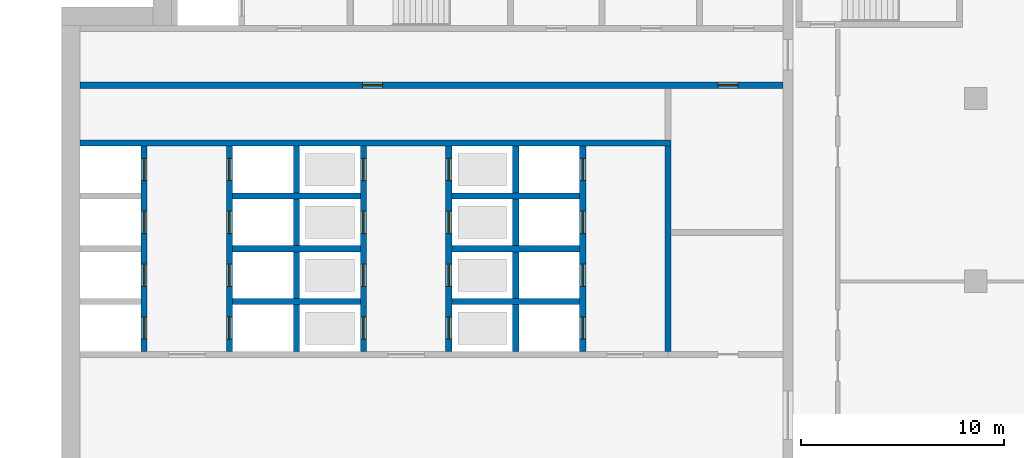
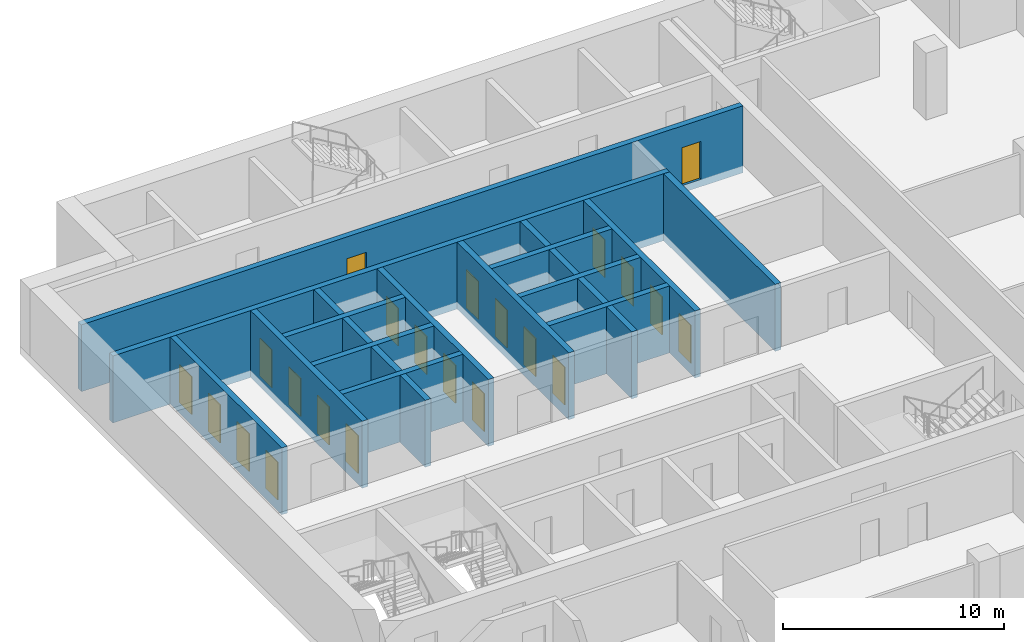
# One storey, part 9 of 18: 22 doors, 16 walls, 22 openings.
"""IFC4 building model written with IfcOpenShell, lengths in metres."""

from ifc_helpers import new_model, si_unit, direction, frame, frame_2d, origin, place, context, subcontext, project, spatial, rectangle, extrude, material, layer, layer_set, type_object, element, fill, save


model = new_model("IFC4")

# Units and contexts
model_context = context("Model", 3, precision=1e-05, world=origin(), true_north=direction((0.0, 1.0)))
body_context = subcontext(model_context, "Body", "Model", "MODEL_VIEW")
ifc_project = project(units=[si_unit("LENGTHUNIT", "METRE"), si_unit("AREAUNIT", "SQUARE_METRE"), si_unit("VOLUMEUNIT", "CUBIC_METRE"), si_unit("PLANEANGLEUNIT", "RADIAN"), si_unit("MASSUNIT", "GRAM", prefix="KILO")], contexts=[model_context])

# Site, building, storey
site_placement = place(None, origin())
site = spatial("IfcSite", under=ifc_project, at=site_placement, CompositionType="ELEMENT")
building_placement = place(site_placement, origin())
building = spatial("IfcBuilding", under=site, at=building_placement, Name="Hunhe Ridgeline Campus", CompositionType="ELEMENT")
storey_placement = place(building_placement, frame((0.0, 0.0, 182.800048828125)))
storey = spatial("IfcBuildingStorey", under=building, at=storey_placement, Name="L46", CompositionType="ELEMENT", Elevation=182.800048828125)

# Wall, openings, doors
ifc_material_1 = material(Name="Concrete C60", Category="concrete")
ifc_layer_1 = layer(ifc_material_1, 0.300048828125)
ifc_layer_set_1 = layer_set([ifc_layer_1], Name="Lobby wall 300 reinforced concrete C60")
wall_type_1 = type_object("IfcWallType", Name="Lobby wall 300 reinforced concrete C60", PredefinedType="SOLIDWALL", material=ifc_layer_set_1)
wall_1_placement = place(storey_placement, frame((0.89990234375, 90.64990234375, -0.400146484375), z_axis=(0.0, 0.0, 1.0), x_axis=(1.0, 0.0, 0.0)))
wall_1 = element("IfcWall", 1, at=wall_1_placement, inside=storey, type_object=wall_type_1, Name="L46 core wall 25", PredefinedType="SOLIDWALL", context=body_context, shape_type="SweptSolid", body=[
    extrude(rectangle(XDim=34.60009765625, YDim=0.300048828125, at=frame_2d((17.300048828125, 0.0))), origin(), (0.0, 0.0, 1.0), 3.7001953125),
])
opening_1_placement = place(wall_1_placement, frame((13.89990234375, 0.0, 0.39990234375)))
opening_1 = element("IfcOpeningElement", 2, at=opening_1_placement, cuts=wall_1, Name="Opening CD26", PredefinedType="OPENING", context=body_context, shape_type="SweptSolid", body=[
    extrude(rectangle(XDim=1.0, YDim=2.10009765625, at=frame_2d((0.5, 1.050048828125))), frame((0.0, 0.14990234375, 0.0), z_axis=(0.0, -1.0, 0.0), x_axis=(1.0, 0.0, 0.0)), (0.0, 0.0, 1.0), 0.300048828125),
])
opening_2_placement = place(wall_1_placement, frame((31.39990234375, 0.0, 0.39990234375)))
opening_2 = element("IfcOpeningElement", 3, at=opening_2_placement, cuts=wall_1, Name="Opening CD33", PredefinedType="OPENING", context=body_context, shape_type="SweptSolid", body=[
    extrude(rectangle(XDim=1.0, YDim=2.10009765625, at=frame_2d((0.5, 1.050048828125))), frame((0.0, 0.14990234375, 0.0), z_axis=(0.0, -1.0, 0.0), x_axis=(1.0, 0.0, 0.0)), (0.0, 0.0, 1.0), 0.300048828125),
])
ifc_material_2 = material(Name="Solid core timber door leaf", Category="wood")
door_type_1 = type_object("IfcDoorType", Name="Timber door 1000x2100", OperationType="SINGLE_SWING_LEFT", PredefinedType="DOOR", material=ifc_material_2)
door_1_placement = place(opening_1_placement, frame((1.0, 0.0, 0.0), z_axis=(0.0, 0.0, 1.0), x_axis=(-1.0, 0.0, 0.0)))
door_1 = element("IfcDoor", 4, at=door_1_placement, inside=storey, type_object=door_type_1, Name="L46 door NR-0", OperationType="SINGLE_SWING_LEFT", OverallHeight=2.10009765625, OverallWidth=1.0, PredefinedType="DOOR", context=body_context, shape_type="SweptSolid", body=[
    extrude(rectangle(XDim=1.0, YDim=2.10009765625, at=frame_2d((0.5, 1.050048828125))), frame((0.0, 0.02490234375, 0.0), z_axis=(0.0, -1.0, 0.0), x_axis=(1.0, 0.0, 0.0)), (0.0, 0.0, 1.0), 0.050048828125),
])
fill(opening_1, door_1)
door_2_placement = place(opening_2_placement, frame((1.0, 0.0, 0.0), z_axis=(0.0, 0.0, 1.0), x_axis=(-1.0, 0.0, 0.0)))
door_2 = element("IfcDoor", 5, at=door_2_placement, inside=storey, type_object=door_type_1, Name="L46 door ES1", OperationType="SINGLE_SWING_RIGHT", OverallHeight=2.10009765625, OverallWidth=1.0, PredefinedType="DOOR", context=body_context, shape_type="SweptSolid", body=[
    extrude(rectangle(XDim=1.0, YDim=2.10009765625, at=frame_2d((0.5, 1.050048828125))), frame((0.0, 0.02490234375, 0.0), z_axis=(0.0, -1.0, 0.0), x_axis=(1.0, 0.0, 0.0)), (0.0, 0.0, 1.0), 0.050048828125),
])
fill(opening_2, door_2)

# Walls
wall_2_placement = place(storey_placement, frame((29.85009765625, 77.550048828125, -0.400146484375), z_axis=(0.0, 0.0, 1.0), x_axis=(0.0, 1.0, 0.0)))
element("IfcWall", 6, at=wall_2_placement, inside=storey, type_object=wall_type_1, Name="L46 core wall 53", PredefinedType="SOLIDWALL", context=body_context, shape_type="SweptSolid", body=[
    extrude(rectangle(XDim=10.099853515625, YDim=0.300048828125, at=frame_2d((5.0498046875, 0.0))), origin(), (0.0, 0.0, 1.0), 3.7001953125),
])
ifc_layer_2 = layer(ifc_material_1, 0.300048828125)
ifc_layer_set_2 = layer_set([ifc_layer_2], Name="Shaft wall 300 reinforced concrete C60")
wall_type_2 = type_object("IfcWallType", Name="Shaft wall 300 reinforced concrete C60", PredefinedType="SOLIDWALL", material=ifc_layer_set_2)
for number, where, z_axis, x_axis, name in (
    (7, (8.39990234375, 80.0, -0.400146484375), (0.0, 0.0, 1.0), (1.0, 0.0, 0.0), "L46 core wall 15"),
    (8, (19.199951171875, 80.0, -0.400146484375), (0.0, 0.0, 1.0), (1.0, 0.0, 0.0), "L46 core wall 16"),
    (9, (8.39990234375, 82.60009765625, -0.400146484375), (0.0, 0.0, 1.0), (1.0, 0.0, 0.0), "L46 core wall 18"),
    (10, (19.199951171875, 82.60009765625, -0.400146484375), (0.0, 0.0, 1.0), (1.0, 0.0, 0.0), "L46 core wall 19"),
    (11, (8.39990234375, 85.199951171875, -0.400146484375), (0.0, 0.0, 1.0), (1.0, 0.0, 0.0), "L46 core wall 22"),
    (12, (19.199951171875, 85.199951171875, -0.400146484375), (0.0, 0.0, 1.0), (1.0, 0.0, 0.0), "L46 core wall 23"),
):
    element("IfcWall", number, at=place(storey_placement, frame(where, z_axis=z_axis, x_axis=x_axis)), inside=storey, type_object=wall_type_2, Name=name, PredefinedType="SOLIDWALL", context=body_context, shape_type="SweptSolid", body=[
        extrude(rectangle(XDim=6.300048828125, YDim=0.300048828125, at=frame_2d((3.14990234375, 0.0))), origin(), (0.0, 0.0, 1.0), 3.7001953125),
    ])
wall_3_placement = place(storey_placement, frame((0.89990234375, 87.800048828125, -0.400146484375), z_axis=(0.0, 0.0, 1.0), x_axis=(1.0, 0.0, 0.0)))
element("IfcWall", 13, at=wall_3_placement, inside=storey, type_object=wall_type_2, Name="L46 core wall 24", PredefinedType="SOLIDWALL", context=body_context, shape_type="SweptSolid", body=[
    extrude(rectangle(XDim=29.10009765625, YDim=0.300048828125, at=frame_2d((14.550048828125, 0.0))), origin(), (0.0, 0.0, 1.0), 3.7001953125),
])

# Wall, openings, doors
wall_4_placement = place(storey_placement, frame((4.050048828125, 77.550048828125, -0.400146484375), z_axis=(0.0, 0.0, 1.0), x_axis=(0.0, 1.0, 0.0)))
wall_4 = element("IfcWall", 14, at=wall_4_placement, inside=storey, type_object=wall_type_2, Name="L46 core wall 29", PredefinedType="SOLIDWALL", context=body_context, shape_type="SweptSolid", body=[
    extrude(rectangle(XDim=10.099853515625, YDim=0.300048828125, at=frame_2d((5.0498046875, 0.0))), origin(), (0.0, 0.0, 1.0), 3.7001953125),
])
opening_3_placement = place(wall_4_placement, frame((0.60009765625, 0.0, 0.39990234375)))
opening_3 = element("IfcOpeningElement", 15, at=opening_3_placement, cuts=wall_4, Name="Opening LD-LR1", PredefinedType="OPENING", context=body_context, shape_type="SweptSolid", body=[
    extrude(rectangle(XDim=1.10009765625, YDim=2.10009765625, at=frame_2d((0.550048828125, 1.050048828125))), frame((0.0, 0.14990234375, 0.0), z_axis=(0.0, -1.0, 0.0), x_axis=(1.0, 0.0, 0.0)), (0.0, 0.0, 1.0), 0.300048828125),
])
opening_4_placement = place(wall_4_placement, frame((3.199951171875, 0.0, 0.39990234375)))
opening_4 = element("IfcOpeningElement", 16, at=opening_4_placement, cuts=wall_4, Name="Opening LD-LR2", PredefinedType="OPENING", context=body_context, shape_type="SweptSolid", body=[
    extrude(rectangle(XDim=1.10009765625, YDim=2.10009765625, at=frame_2d((0.550048828125, 1.050048828125))), frame((0.0, 0.14990234375, 0.0), z_axis=(0.0, -1.0, 0.0), x_axis=(1.0, 0.0, 0.0)), (0.0, 0.0, 1.0), 0.300048828125),
])
opening_5_placement = place(wall_4_placement, frame((5.800048828125, 0.0, 0.39990234375)))
opening_5 = element("IfcOpeningElement", 17, at=opening_5_placement, cuts=wall_4, Name="Opening LD-LR3", PredefinedType="OPENING", context=body_context, shape_type="SweptSolid", body=[
    extrude(rectangle(XDim=1.10009765625, YDim=2.10009765625, at=frame_2d((0.550048828125, 1.050048828125))), frame((0.0, 0.14990234375, 0.0), z_axis=(0.0, -1.0, 0.0), x_axis=(1.0, 0.0, 0.0)), (0.0, 0.0, 1.0), 0.300048828125),
])
opening_6_placement = place(wall_4_placement, frame((8.39990234375, 0.0, 0.39990234375)))
opening_6 = element("IfcOpeningElement", 18, at=opening_6_placement, cuts=wall_4, Name="Opening LD-LR4", PredefinedType="OPENING", context=body_context, shape_type="SweptSolid", body=[
    extrude(rectangle(XDim=1.10009765625, YDim=2.10009765625, at=frame_2d((0.550048828125, 1.050048828125))), frame((0.0, 0.14990234375, 0.0), z_axis=(0.0, -1.0, 0.0), x_axis=(1.0, 0.0, 0.0)), (0.0, 0.0, 1.0), 0.300048828125),
])
ifc_material_3 = material(Name="Stainless steel sliding leaves", Category="steel")
door_type_2 = type_object("IfcDoorType", Name="Landing door 1100x2100 FD120", OperationType="SLIDING_TO_LEFT", PredefinedType="DOOR", material=ifc_material_3)
door_3_placement = place(opening_3_placement, origin())
door_3 = element("IfcDoor", 19, at=door_3_placement, inside=storey, type_object=door_type_2, Name="L46 landing door LR1", OperationType="SLIDING_TO_RIGHT", OverallHeight=2.10009765625, OverallWidth=1.10009765625, PredefinedType="DOOR", context=body_context, shape_type="SweptSolid", body=[
    extrude(rectangle(XDim=1.10009765625, YDim=2.10009765625, at=frame_2d((0.550048828125, 1.050048828125))), frame((0.0, 0.02490234375, 0.0), z_axis=(0.0, -1.0, 0.0), x_axis=(1.0, 0.0, 0.0)), (0.0, 0.0, 1.0), 0.050048828125),
])
fill(opening_3, door_3)
door_4_placement = place(opening_4_placement, origin())
door_4 = element("IfcDoor", 20, at=door_4_placement, inside=storey, type_object=door_type_2, Name="L46 landing door LR2", OperationType="SLIDING_TO_LEFT", OverallHeight=2.10009765625, OverallWidth=1.10009765625, PredefinedType="DOOR", context=body_context, shape_type="SweptSolid", body=[
    extrude(rectangle(XDim=1.10009765625, YDim=2.10009765625, at=frame_2d((0.550048828125, 1.050048828125))), frame((0.0, 0.02490234375, 0.0), z_axis=(0.0, -1.0, 0.0), x_axis=(1.0, 0.0, 0.0)), (0.0, 0.0, 1.0), 0.050048828125),
])
fill(opening_4, door_4)
door_5_placement = place(opening_5_placement, origin())
door_5 = element("IfcDoor", 21, at=door_5_placement, inside=storey, type_object=door_type_2, Name="L46 landing door LR3", OperationType="SLIDING_TO_RIGHT", OverallHeight=2.10009765625, OverallWidth=1.10009765625, PredefinedType="DOOR", context=body_context, shape_type="SweptSolid", body=[
    extrude(rectangle(XDim=1.10009765625, YDim=2.10009765625, at=frame_2d((0.550048828125, 1.050048828125))), frame((0.0, 0.02490234375, 0.0), z_axis=(0.0, -1.0, 0.0), x_axis=(1.0, 0.0, 0.0)), (0.0, 0.0, 1.0), 0.050048828125),
])
fill(opening_5, door_5)
door_6_placement = place(opening_6_placement, origin())
door_6 = element("IfcDoor", 22, at=door_6_placement, inside=storey, type_object=door_type_2, Name="L46 landing door LR4", OperationType="SLIDING_TO_LEFT", OverallHeight=2.10009765625, OverallWidth=1.10009765625, PredefinedType="DOOR", context=body_context, shape_type="SweptSolid", body=[
    extrude(rectangle(XDim=1.10009765625, YDim=2.10009765625, at=frame_2d((0.550048828125, 1.050048828125))), frame((0.0, 0.02490234375, 0.0), z_axis=(0.0, -1.0, 0.0), x_axis=(1.0, 0.0, 0.0)), (0.0, 0.0, 1.0), 0.050048828125),
])
fill(opening_6, door_6)

wall_5_placement = place(storey_placement, frame((8.25, 77.550048828125, -0.400146484375), z_axis=(0.0, 0.0, 1.0), x_axis=(0.0, 1.0, 0.0)))
wall_5 = element("IfcWall", 23, at=wall_5_placement, inside=storey, type_object=wall_type_2, Name="L46 core wall 32", PredefinedType="SOLIDWALL", context=body_context, shape_type="SweptSolid", body=[
    extrude(rectangle(XDim=10.099853515625, YDim=0.300048828125, at=frame_2d((5.0498046875, 0.0))), origin(), (0.0, 0.0, 1.0), 3.7001953125),
])
opening_7_placement = place(wall_5_placement, frame((0.60009765625, 0.0, 0.39990234375)))
opening_7 = element("IfcOpeningElement", 24, at=opening_7_placement, cuts=wall_5, Name="Opening LD-LR5", PredefinedType="OPENING", context=body_context, shape_type="SweptSolid", body=[
    extrude(rectangle(XDim=1.10009765625, YDim=2.10009765625, at=frame_2d((0.550048828125, 1.050048828125))), frame((0.0, 0.14990234375, 0.0), z_axis=(0.0, -1.0, 0.0), x_axis=(1.0, 0.0, 0.0)), (0.0, 0.0, 1.0), 0.300048828125),
])
opening_8_placement = place(wall_5_placement, frame((3.199951171875, 0.0, 0.39990234375)))
opening_8 = element("IfcOpeningElement", 25, at=opening_8_placement, cuts=wall_5, Name="Opening LD-LR6", PredefinedType="OPENING", context=body_context, shape_type="SweptSolid", body=[
    extrude(rectangle(XDim=1.10009765625, YDim=2.10009765625, at=frame_2d((0.550048828125, 1.050048828125))), frame((0.0, 0.14990234375, 0.0), z_axis=(0.0, -1.0, 0.0), x_axis=(1.0, 0.0, 0.0)), (0.0, 0.0, 1.0), 0.300048828125),
])
opening_9_placement = place(wall_5_placement, frame((5.800048828125, 0.0, 0.39990234375)))
opening_9 = element("IfcOpeningElement", 26, at=opening_9_placement, cuts=wall_5, Name="Opening LD-LR7", PredefinedType="OPENING", context=body_context, shape_type="SweptSolid", body=[
    extrude(rectangle(XDim=1.10009765625, YDim=2.10009765625, at=frame_2d((0.550048828125, 1.050048828125))), frame((0.0, 0.14990234375, 0.0), z_axis=(0.0, -1.0, 0.0), x_axis=(1.0, 0.0, 0.0)), (0.0, 0.0, 1.0), 0.300048828125),
])
opening_10_placement = place(wall_5_placement, frame((8.39990234375, 0.0, 0.39990234375)))
opening_10 = element("IfcOpeningElement", 27, at=opening_10_placement, cuts=wall_5, Name="Opening LD-LR8", PredefinedType="OPENING", context=body_context, shape_type="SweptSolid", body=[
    extrude(rectangle(XDim=1.10009765625, YDim=2.10009765625, at=frame_2d((0.550048828125, 1.050048828125))), frame((0.0, 0.14990234375, 0.0), z_axis=(0.0, -1.0, 0.0), x_axis=(1.0, 0.0, 0.0)), (0.0, 0.0, 1.0), 0.300048828125),
])
door_7_placement = place(opening_7_placement, origin())
door_7 = element("IfcDoor", 28, at=door_7_placement, inside=storey, type_object=door_type_2, Name="L46 landing door LR5", OperationType="SLIDING_TO_RIGHT", OverallHeight=2.10009765625, OverallWidth=1.10009765625, PredefinedType="DOOR", context=body_context, shape_type="SweptSolid", body=[
    extrude(rectangle(XDim=1.10009765625, YDim=2.10009765625, at=frame_2d((0.550048828125, 1.050048828125))), frame((0.0, 0.02490234375, 0.0), z_axis=(0.0, -1.0, 0.0), x_axis=(1.0, 0.0, 0.0)), (0.0, 0.0, 1.0), 0.050048828125),
])
fill(opening_7, door_7)
door_8_placement = place(opening_8_placement, origin())
door_8 = element("IfcDoor", 29, at=door_8_placement, inside=storey, type_object=door_type_2, Name="L46 landing door LR6", OperationType="SLIDING_TO_LEFT", OverallHeight=2.10009765625, OverallWidth=1.10009765625, PredefinedType="DOOR", context=body_context, shape_type="SweptSolid", body=[
    extrude(rectangle(XDim=1.10009765625, YDim=2.10009765625, at=frame_2d((0.550048828125, 1.050048828125))), frame((0.0, 0.02490234375, 0.0), z_axis=(0.0, -1.0, 0.0), x_axis=(1.0, 0.0, 0.0)), (0.0, 0.0, 1.0), 0.050048828125),
])
fill(opening_8, door_8)
door_9_placement = place(opening_9_placement, origin())
door_9 = element("IfcDoor", 30, at=door_9_placement, inside=storey, type_object=door_type_2, Name="L46 landing door LR7", OperationType="SLIDING_TO_RIGHT", OverallHeight=2.10009765625, OverallWidth=1.10009765625, PredefinedType="DOOR", context=body_context, shape_type="SweptSolid", body=[
    extrude(rectangle(XDim=1.10009765625, YDim=2.10009765625, at=frame_2d((0.550048828125, 1.050048828125))), frame((0.0, 0.02490234375, 0.0), z_axis=(0.0, -1.0, 0.0), x_axis=(1.0, 0.0, 0.0)), (0.0, 0.0, 1.0), 0.050048828125),
])
fill(opening_9, door_9)
door_10_placement = place(opening_10_placement, origin())
door_10 = element("IfcDoor", 31, at=door_10_placement, inside=storey, type_object=door_type_2, Name="L46 landing door LR8", OperationType="SLIDING_TO_LEFT", OverallHeight=2.10009765625, OverallWidth=1.10009765625, PredefinedType="DOOR", context=body_context, shape_type="SweptSolid", body=[
    extrude(rectangle(XDim=1.10009765625, YDim=2.10009765625, at=frame_2d((0.550048828125, 1.050048828125))), frame((0.0, 0.02490234375, 0.0), z_axis=(0.0, -1.0, 0.0), x_axis=(1.0, 0.0, 0.0)), (0.0, 0.0, 1.0), 0.050048828125),
])
fill(opening_10, door_10)

# Wall
wall_6_placement = place(storey_placement, frame((11.550048828125, 77.550048828125, -0.400146484375), z_axis=(0.0, 0.0, 1.0), x_axis=(0.0, 1.0, 0.0)))
element("IfcWall", 32, at=wall_6_placement, inside=storey, type_object=wall_type_2, Name="L46 core wall 37", PredefinedType="SOLIDWALL", context=body_context, shape_type="SweptSolid", body=[
    extrude(rectangle(XDim=10.099853515625, YDim=0.300048828125, at=frame_2d((5.0498046875, 0.0))), origin(), (0.0, 0.0, 1.0), 3.7001953125),
])

# Wall, openings, doors
wall_7_placement = place(storey_placement, frame((14.85009765625, 77.550048828125, -0.400146484375), z_axis=(0.0, 0.0, 1.0), x_axis=(0.0, 1.0, 0.0)))
wall_7 = element("IfcWall", 33, at=wall_7_placement, inside=storey, type_object=wall_type_2, Name="L46 core wall 40", PredefinedType="SOLIDWALL", context=body_context, shape_type="SweptSolid", body=[
    extrude(rectangle(XDim=10.099853515625, YDim=0.300048828125, at=frame_2d((5.0498046875, 0.0))), origin(), (0.0, 0.0, 1.0), 3.7001953125),
])
opening_11_placement = place(wall_7_placement, frame((0.60009765625, 0.0, 0.39990234375)))
opening_11 = element("IfcOpeningElement", 34, at=opening_11_placement, cuts=wall_7, Name="Opening LD-HR1", PredefinedType="OPENING", context=body_context, shape_type="SweptSolid", body=[
    extrude(rectangle(XDim=1.10009765625, YDim=2.10009765625, at=frame_2d((0.550048828125, 1.050048828125))), frame((0.0, 0.14990234375, 0.0), z_axis=(0.0, -1.0, 0.0), x_axis=(1.0, 0.0, 0.0)), (0.0, 0.0, 1.0), 0.300048828125),
])
opening_12_placement = place(wall_7_placement, frame((3.199951171875, 0.0, 0.39990234375)))
opening_12 = element("IfcOpeningElement", 35, at=opening_12_placement, cuts=wall_7, Name="Opening LD-HR2", PredefinedType="OPENING", context=body_context, shape_type="SweptSolid", body=[
    extrude(rectangle(XDim=1.10009765625, YDim=2.10009765625, at=frame_2d((0.550048828125, 1.050048828125))), frame((0.0, 0.14990234375, 0.0), z_axis=(0.0, -1.0, 0.0), x_axis=(1.0, 0.0, 0.0)), (0.0, 0.0, 1.0), 0.300048828125),
])
opening_13_placement = place(wall_7_placement, frame((5.800048828125, 0.0, 0.39990234375)))
opening_13 = element("IfcOpeningElement", 36, at=opening_13_placement, cuts=wall_7, Name="Opening LD-HR3", PredefinedType="OPENING", context=body_context, shape_type="SweptSolid", body=[
    extrude(rectangle(XDim=1.10009765625, YDim=2.10009765625, at=frame_2d((0.550048828125, 1.050048828125))), frame((0.0, 0.14990234375, 0.0), z_axis=(0.0, -1.0, 0.0), x_axis=(1.0, 0.0, 0.0)), (0.0, 0.0, 1.0), 0.300048828125),
])
opening_14_placement = place(wall_7_placement, frame((8.39990234375, 0.0, 0.39990234375)))
opening_14 = element("IfcOpeningElement", 37, at=opening_14_placement, cuts=wall_7, Name="Opening LD-HR4", PredefinedType="OPENING", context=body_context, shape_type="SweptSolid", body=[
    extrude(rectangle(XDim=1.10009765625, YDim=2.10009765625, at=frame_2d((0.550048828125, 1.050048828125))), frame((0.0, 0.14990234375, 0.0), z_axis=(0.0, -1.0, 0.0), x_axis=(1.0, 0.0, 0.0)), (0.0, 0.0, 1.0), 0.300048828125),
])
door_11_placement = place(opening_11_placement, origin())
door_11 = element("IfcDoor", 38, at=door_11_placement, inside=storey, type_object=door_type_2, Name="L46 landing door HR1", OperationType="SLIDING_TO_RIGHT", OverallHeight=2.10009765625, OverallWidth=1.10009765625, PredefinedType="DOOR", context=body_context, shape_type="SweptSolid", body=[
    extrude(rectangle(XDim=1.10009765625, YDim=2.10009765625, at=frame_2d((0.550048828125, 1.050048828125))), frame((0.0, 0.02490234375, 0.0), z_axis=(0.0, -1.0, 0.0), x_axis=(1.0, 0.0, 0.0)), (0.0, 0.0, 1.0), 0.050048828125),
])
fill(opening_11, door_11)
door_12_placement = place(opening_12_placement, origin())
door_12 = element("IfcDoor", 39, at=door_12_placement, inside=storey, type_object=door_type_2, Name="L46 landing door HR2", OperationType="SLIDING_TO_LEFT", OverallHeight=2.10009765625, OverallWidth=1.10009765625, PredefinedType="DOOR", context=body_context, shape_type="SweptSolid", body=[
    extrude(rectangle(XDim=1.10009765625, YDim=2.10009765625, at=frame_2d((0.550048828125, 1.050048828125))), frame((0.0, 0.02490234375, 0.0), z_axis=(0.0, -1.0, 0.0), x_axis=(1.0, 0.0, 0.0)), (0.0, 0.0, 1.0), 0.050048828125),
])
fill(opening_12, door_12)
door_13_placement = place(opening_13_placement, origin())
door_13 = element("IfcDoor", 40, at=door_13_placement, inside=storey, type_object=door_type_2, Name="L46 landing door HR3", OperationType="SLIDING_TO_RIGHT", OverallHeight=2.10009765625, OverallWidth=1.10009765625, PredefinedType="DOOR", context=body_context, shape_type="SweptSolid", body=[
    extrude(rectangle(XDim=1.10009765625, YDim=2.10009765625, at=frame_2d((0.550048828125, 1.050048828125))), frame((0.0, 0.02490234375, 0.0), z_axis=(0.0, -1.0, 0.0), x_axis=(1.0, 0.0, 0.0)), (0.0, 0.0, 1.0), 0.050048828125),
])
fill(opening_13, door_13)
door_14_placement = place(opening_14_placement, origin())
door_14 = element("IfcDoor", 41, at=door_14_placement, inside=storey, type_object=door_type_2, Name="L46 landing door HR4", OperationType="SLIDING_TO_LEFT", OverallHeight=2.10009765625, OverallWidth=1.10009765625, PredefinedType="DOOR", context=body_context, shape_type="SweptSolid", body=[
    extrude(rectangle(XDim=1.10009765625, YDim=2.10009765625, at=frame_2d((0.550048828125, 1.050048828125))), frame((0.0, 0.02490234375, 0.0), z_axis=(0.0, -1.0, 0.0), x_axis=(1.0, 0.0, 0.0)), (0.0, 0.0, 1.0), 0.050048828125),
])
fill(opening_14, door_14)

wall_8_placement = place(storey_placement, frame((19.050048828125, 77.550048828125, -0.400146484375), z_axis=(0.0, 0.0, 1.0), x_axis=(0.0, 1.0, 0.0)))
wall_8 = element("IfcWall", 42, at=wall_8_placement, inside=storey, type_object=wall_type_2, Name="L46 core wall 42", PredefinedType="SOLIDWALL", context=body_context, shape_type="SweptSolid", body=[
    extrude(rectangle(XDim=10.099853515625, YDim=0.300048828125, at=frame_2d((5.0498046875, 0.0))), origin(), (0.0, 0.0, 1.0), 3.7001953125),
])
opening_15_placement = place(wall_8_placement, frame((0.60009765625, 0.0, 0.39990234375)))
opening_15 = element("IfcOpeningElement", 43, at=opening_15_placement, cuts=wall_8, Name="Opening LD-HR5", PredefinedType="OPENING", context=body_context, shape_type="SweptSolid", body=[
    extrude(rectangle(XDim=1.10009765625, YDim=2.10009765625, at=frame_2d((0.550048828125, 1.050048828125))), frame((0.0, 0.14990234375, 0.0), z_axis=(0.0, -1.0, 0.0), x_axis=(1.0, 0.0, 0.0)), (0.0, 0.0, 1.0), 0.300048828125),
])
opening_16_placement = place(wall_8_placement, frame((3.199951171875, 0.0, 0.39990234375)))
opening_16 = element("IfcOpeningElement", 44, at=opening_16_placement, cuts=wall_8, Name="Opening LD-HR6", PredefinedType="OPENING", context=body_context, shape_type="SweptSolid", body=[
    extrude(rectangle(XDim=1.10009765625, YDim=2.10009765625, at=frame_2d((0.550048828125, 1.050048828125))), frame((0.0, 0.14990234375, 0.0), z_axis=(0.0, -1.0, 0.0), x_axis=(1.0, 0.0, 0.0)), (0.0, 0.0, 1.0), 0.300048828125),
])
opening_17_placement = place(wall_8_placement, frame((5.800048828125, 0.0, 0.39990234375)))
opening_17 = element("IfcOpeningElement", 45, at=opening_17_placement, cuts=wall_8, Name="Opening LD-HR7", PredefinedType="OPENING", context=body_context, shape_type="SweptSolid", body=[
    extrude(rectangle(XDim=1.10009765625, YDim=2.10009765625, at=frame_2d((0.550048828125, 1.050048828125))), frame((0.0, 0.14990234375, 0.0), z_axis=(0.0, -1.0, 0.0), x_axis=(1.0, 0.0, 0.0)), (0.0, 0.0, 1.0), 0.300048828125),
])
opening_18_placement = place(wall_8_placement, frame((8.39990234375, 0.0, 0.39990234375)))
opening_18 = element("IfcOpeningElement", 46, at=opening_18_placement, cuts=wall_8, Name="Opening LD-HR8", PredefinedType="OPENING", context=body_context, shape_type="SweptSolid", body=[
    extrude(rectangle(XDim=1.10009765625, YDim=2.10009765625, at=frame_2d((0.550048828125, 1.050048828125))), frame((0.0, 0.14990234375, 0.0), z_axis=(0.0, -1.0, 0.0), x_axis=(1.0, 0.0, 0.0)), (0.0, 0.0, 1.0), 0.300048828125),
])
door_15_placement = place(opening_15_placement, origin())
door_15 = element("IfcDoor", 47, at=door_15_placement, inside=storey, type_object=door_type_2, Name="L46 landing door HR5", OperationType="SLIDING_TO_RIGHT", OverallHeight=2.10009765625, OverallWidth=1.10009765625, PredefinedType="DOOR", context=body_context, shape_type="SweptSolid", body=[
    extrude(rectangle(XDim=1.10009765625, YDim=2.10009765625, at=frame_2d((0.550048828125, 1.050048828125))), frame((0.0, 0.02490234375, 0.0), z_axis=(0.0, -1.0, 0.0), x_axis=(1.0, 0.0, 0.0)), (0.0, 0.0, 1.0), 0.050048828125),
])
fill(opening_15, door_15)
door_16_placement = place(opening_16_placement, origin())
door_16 = element("IfcDoor", 48, at=door_16_placement, inside=storey, type_object=door_type_2, Name="L46 landing door HR6", OperationType="SLIDING_TO_LEFT", OverallHeight=2.10009765625, OverallWidth=1.10009765625, PredefinedType="DOOR", context=body_context, shape_type="SweptSolid", body=[
    extrude(rectangle(XDim=1.10009765625, YDim=2.10009765625, at=frame_2d((0.550048828125, 1.050048828125))), frame((0.0, 0.02490234375, 0.0), z_axis=(0.0, -1.0, 0.0), x_axis=(1.0, 0.0, 0.0)), (0.0, 0.0, 1.0), 0.050048828125),
])
fill(opening_16, door_16)
door_17_placement = place(opening_17_placement, origin())
door_17 = element("IfcDoor", 49, at=door_17_placement, inside=storey, type_object=door_type_2, Name="L46 landing door HR7", OperationType="SLIDING_TO_RIGHT", OverallHeight=2.10009765625, OverallWidth=1.10009765625, PredefinedType="DOOR", context=body_context, shape_type="SweptSolid", body=[
    extrude(rectangle(XDim=1.10009765625, YDim=2.10009765625, at=frame_2d((0.550048828125, 1.050048828125))), frame((0.0, 0.02490234375, 0.0), z_axis=(0.0, -1.0, 0.0), x_axis=(1.0, 0.0, 0.0)), (0.0, 0.0, 1.0), 0.050048828125),
])
fill(opening_17, door_17)
door_18_placement = place(opening_18_placement, origin())
door_18 = element("IfcDoor", 50, at=door_18_placement, inside=storey, type_object=door_type_2, Name="L46 landing door HR8", OperationType="SLIDING_TO_LEFT", OverallHeight=2.10009765625, OverallWidth=1.10009765625, PredefinedType="DOOR", context=body_context, shape_type="SweptSolid", body=[
    extrude(rectangle(XDim=1.10009765625, YDim=2.10009765625, at=frame_2d((0.550048828125, 1.050048828125))), frame((0.0, 0.02490234375, 0.0), z_axis=(0.0, -1.0, 0.0), x_axis=(1.0, 0.0, 0.0)), (0.0, 0.0, 1.0), 0.050048828125),
])
fill(opening_18, door_18)

# Wall
wall_9_placement = place(storey_placement, frame((22.35009765625, 77.550048828125, -0.400146484375), z_axis=(0.0, 0.0, 1.0), x_axis=(0.0, 1.0, 0.0)))
element("IfcWall", 51, at=wall_9_placement, inside=storey, type_object=wall_type_2, Name="L46 core wall 45", PredefinedType="SOLIDWALL", context=body_context, shape_type="SweptSolid", body=[
    extrude(rectangle(XDim=10.099853515625, YDim=0.300048828125, at=frame_2d((5.0498046875, 0.0))), origin(), (0.0, 0.0, 1.0), 3.7001953125),
])

# Wall, openings, doors
wall_10_placement = place(storey_placement, frame((25.64990234375, 77.550048828125, -0.400146484375), z_axis=(0.0, 0.0, 1.0), x_axis=(0.0, 1.0, 0.0)))
wall_10 = element("IfcWall", 52, at=wall_10_placement, inside=storey, type_object=wall_type_2, Name="L46 core wall 49", PredefinedType="SOLIDWALL", context=body_context, shape_type="SweptSolid", body=[
    extrude(rectangle(XDim=10.099853515625, YDim=0.300048828125, at=frame_2d((5.0498046875, 0.0))), origin(), (0.0, 0.0, 1.0), 3.7001953125),
])
opening_19_placement = place(wall_10_placement, frame((0.60009765625, 0.0, 0.39990234375)))
opening_19 = element("IfcOpeningElement", 53, at=opening_19_placement, cuts=wall_10, Name="Opening LD-SH1", PredefinedType="OPENING", context=body_context, shape_type="SweptSolid", body=[
    extrude(rectangle(XDim=1.10009765625, YDim=2.10009765625, at=frame_2d((0.550048828125, 1.050048828125))), frame((0.0, 0.14990234375, 0.0), z_axis=(0.0, -1.0, 0.0), x_axis=(1.0, 0.0, 0.0)), (0.0, 0.0, 1.0), 0.300048828125),
])
opening_20_placement = place(wall_10_placement, frame((3.199951171875, 0.0, 0.39990234375)))
opening_20 = element("IfcOpeningElement", 54, at=opening_20_placement, cuts=wall_10, Name="Opening LD-SH2", PredefinedType="OPENING", context=body_context, shape_type="SweptSolid", body=[
    extrude(rectangle(XDim=1.10009765625, YDim=2.10009765625, at=frame_2d((0.550048828125, 1.050048828125))), frame((0.0, 0.14990234375, 0.0), z_axis=(0.0, -1.0, 0.0), x_axis=(1.0, 0.0, 0.0)), (0.0, 0.0, 1.0), 0.300048828125),
])
opening_21_placement = place(wall_10_placement, frame((5.800048828125, 0.0, 0.39990234375)))
opening_21 = element("IfcOpeningElement", 55, at=opening_21_placement, cuts=wall_10, Name="Opening LD-SH3", PredefinedType="OPENING", context=body_context, shape_type="SweptSolid", body=[
    extrude(rectangle(XDim=1.10009765625, YDim=2.10009765625, at=frame_2d((0.550048828125, 1.050048828125))), frame((0.0, 0.14990234375, 0.0), z_axis=(0.0, -1.0, 0.0), x_axis=(1.0, 0.0, 0.0)), (0.0, 0.0, 1.0), 0.300048828125),
])
opening_22_placement = place(wall_10_placement, frame((8.39990234375, 0.0, 0.39990234375)))
opening_22 = element("IfcOpeningElement", 56, at=opening_22_placement, cuts=wall_10, Name="Opening LD-SH4", PredefinedType="OPENING", context=body_context, shape_type="SweptSolid", body=[
    extrude(rectangle(XDim=1.10009765625, YDim=2.10009765625, at=frame_2d((0.550048828125, 1.050048828125))), frame((0.0, 0.14990234375, 0.0), z_axis=(0.0, -1.0, 0.0), x_axis=(1.0, 0.0, 0.0)), (0.0, 0.0, 1.0), 0.300048828125),
])
door_19_placement = place(opening_19_placement, origin())
door_19 = element("IfcDoor", 57, at=door_19_placement, inside=storey, type_object=door_type_2, Name="L46 landing door SH1", OperationType="SLIDING_TO_RIGHT", OverallHeight=2.10009765625, OverallWidth=1.10009765625, PredefinedType="DOOR", context=body_context, shape_type="SweptSolid", body=[
    extrude(rectangle(XDim=1.10009765625, YDim=2.10009765625, at=frame_2d((0.550048828125, 1.050048828125))), frame((0.0, 0.02490234375, 0.0), z_axis=(0.0, -1.0, 0.0), x_axis=(1.0, 0.0, 0.0)), (0.0, 0.0, 1.0), 0.050048828125),
])
fill(opening_19, door_19)
door_20_placement = place(opening_20_placement, origin())
door_20 = element("IfcDoor", 58, at=door_20_placement, inside=storey, type_object=door_type_2, Name="L46 landing door SH2", OperationType="SLIDING_TO_LEFT", OverallHeight=2.10009765625, OverallWidth=1.10009765625, PredefinedType="DOOR", context=body_context, shape_type="SweptSolid", body=[
    extrude(rectangle(XDim=1.10009765625, YDim=2.10009765625, at=frame_2d((0.550048828125, 1.050048828125))), frame((0.0, 0.02490234375, 0.0), z_axis=(0.0, -1.0, 0.0), x_axis=(1.0, 0.0, 0.0)), (0.0, 0.0, 1.0), 0.050048828125),
])
fill(opening_20, door_20)
door_21_placement = place(opening_21_placement, origin())
door_21 = element("IfcDoor", 59, at=door_21_placement, inside=storey, type_object=door_type_2, Name="L46 landing door SH3", OperationType="SLIDING_TO_RIGHT", OverallHeight=2.10009765625, OverallWidth=1.10009765625, PredefinedType="DOOR", context=body_context, shape_type="SweptSolid", body=[
    extrude(rectangle(XDim=1.10009765625, YDim=2.10009765625, at=frame_2d((0.550048828125, 1.050048828125))), frame((0.0, 0.02490234375, 0.0), z_axis=(0.0, -1.0, 0.0), x_axis=(1.0, 0.0, 0.0)), (0.0, 0.0, 1.0), 0.050048828125),
])
fill(opening_21, door_21)
door_22_placement = place(opening_22_placement, origin())
door_22 = element("IfcDoor", 60, at=door_22_placement, inside=storey, type_object=door_type_2, Name="L46 landing door SH4", OperationType="SLIDING_TO_LEFT", OverallHeight=2.10009765625, OverallWidth=1.10009765625, PredefinedType="DOOR", context=body_context, shape_type="SweptSolid", body=[
    extrude(rectangle(XDim=1.10009765625, YDim=2.10009765625, at=frame_2d((0.550048828125, 1.050048828125))), frame((0.0, 0.02490234375, 0.0), z_axis=(0.0, -1.0, 0.0), x_axis=(1.0, 0.0, 0.0)), (0.0, 0.0, 1.0), 0.050048828125),
])
fill(opening_22, door_22)

save(model, "model.ifc")
